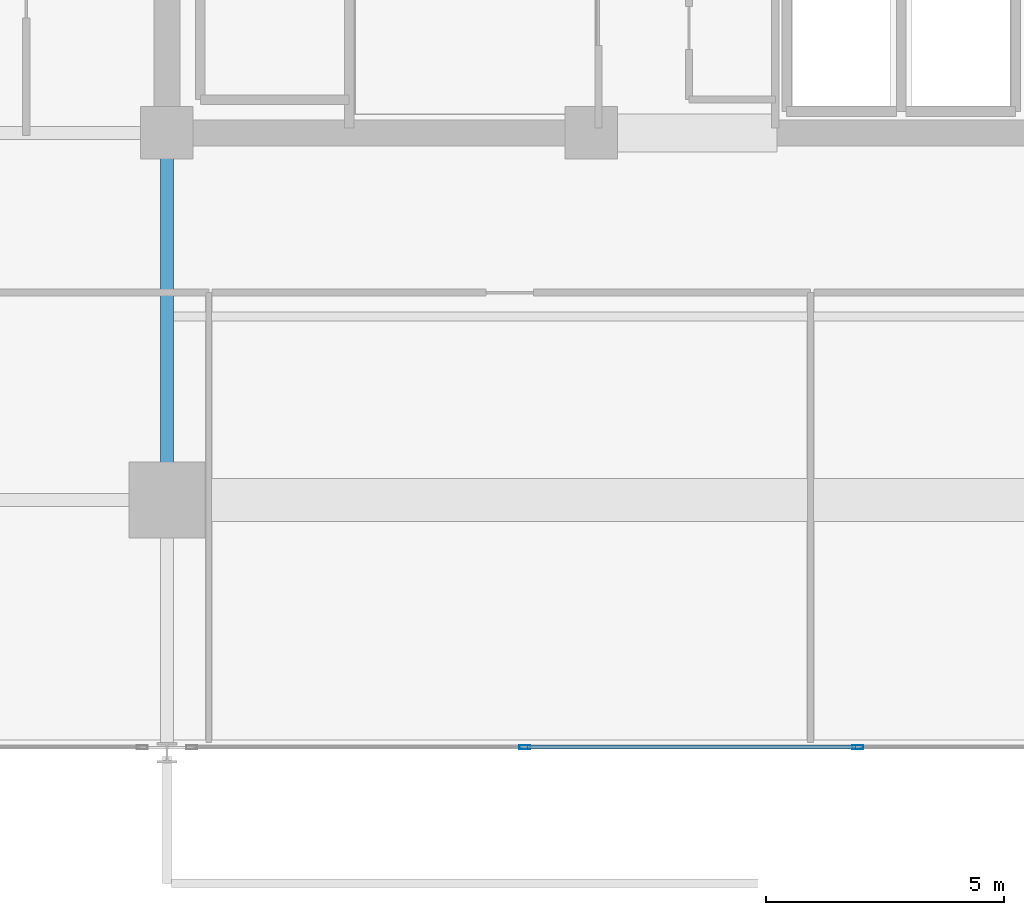
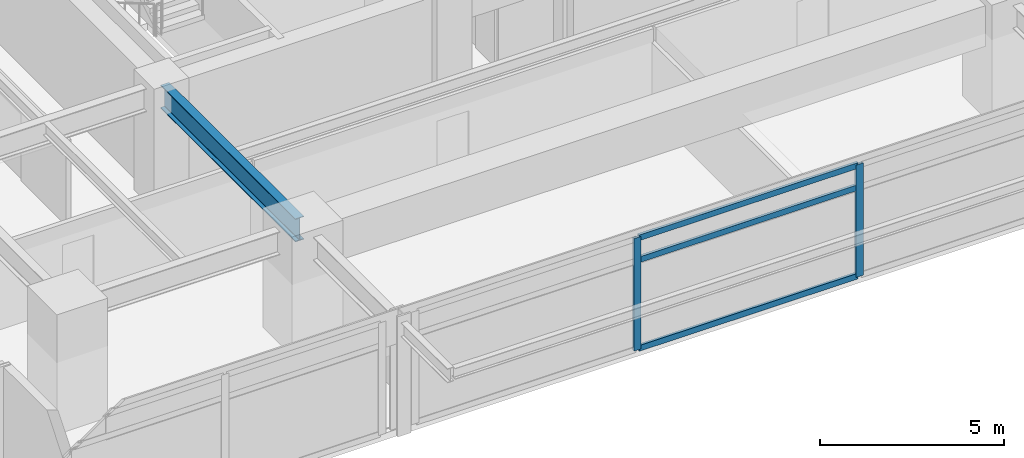
# One storey, part 5 of 23: 5 members, 1 beam, 1 element without a shape of its own.
"""IFC4 building model written with IfcOpenShell, lengths in metres."""

from ifc_helpers import new_model, si_unit, direction, frame, origin, origin_2d, place, context, subcontext, project, spatial, hollow_rectangle, i_section, extrude, material, material_profile, profile_set, type_object, element, aggregate, save


model = new_model("IFC4")

# Units and contexts
model_context = context("Model", 3, precision=1e-05, world=origin(), true_north=direction((0.0, 1.0)))
body_context = subcontext(model_context, "Body", "Model", "MODEL_VIEW")
ifc_project = project(units=[si_unit("LENGTHUNIT", "METRE"), si_unit("AREAUNIT", "SQUARE_METRE"), si_unit("VOLUMEUNIT", "CUBIC_METRE"), si_unit("PLANEANGLEUNIT", "RADIAN"), si_unit("MASSUNIT", "GRAM", prefix="KILO")], contexts=[model_context])

# Site, building, storey
site_placement = place(None, origin())
site = spatial("IfcSite", under=ifc_project, at=site_placement, CompositionType="ELEMENT")
building_placement = place(site_placement, origin())
building = spatial("IfcBuilding", under=site, at=building_placement, Name="Kovane Verandah Tower", CompositionType="ELEMENT")
storey_placement = place(building_placement, frame((0.0, 0.0, 168.39990234375)))
storey = spatial("IfcBuildingStorey", under=building, at=storey_placement, Name="L39", CompositionType="ELEMENT", Elevation=168.39990234375)

# Beam
ifc_material_1 = material(Name="Steel S355", Category="steel")
ifc_material_profile_1 = material_profile(ifc_material_1, i_section(OverallWidth=0.26806640625, OverallDepth=0.769775390625, WebThickness=0.015625, FlangeThickness=0.025390625, FilletRadius=0.0166015625, at=origin_2d()), Name="UB762x267x197")
ifc_profile_set_1 = profile_set([ifc_material_profile_1], Name="Steel S355")
beam_type = type_object("IfcBeamType", Name="BM-UB762x197", PredefinedType="BEAM", material=ifc_profile_set_1)
beam_placement = place(storey_placement, frame((29.0, 18.320068359375, 3.39013671875), z_axis=(0.0, -1.0, 0.0), x_axis=(1.0, 0.0, 0.0)))
element("IfcBeam", 1, at=beam_placement, inside=storey, type_object=beam_type, Name="L39 Primary Tower Girder G-S1", PredefinedType="BEAM", context=body_context, shape_type="SweptSolid", body=[
    extrude(i_section(OverallWidth=0.26806640625, OverallDepth=0.769775390625, WebThickness=0.015625, FlangeThickness=0.025390625, FilletRadius=0.0166015625, at=origin_2d()), origin(), (0.0, 0.0, 1.0), 7.340087890625),
])

# Curtain wall, members
ifc_material_2 = material(Name="Champagne Anodised Aluminium Frame with Low-E Clear Laminated Glass", Category="aluminium")
curtain_wall_type = type_object("IfcCurtainWallType", Name="CW-SYS-03-MID", PredefinedType="NOTDEFINED", material=ifc_material_2)
curtain_wall_placement = place(storey_placement, origin())
curtain_wall = element("IfcCurtainWall", 2, at=curtain_wall_placement, inside=storey, type_object=curtain_wall_type, Name="L39 S Unitised Curtain Wall-2", PredefinedType="NOTDEFINED")
ifc_material_3 = material(Name="Champagne Anodised Aluminium 6063-T6", Category="aluminium")
ifc_material_profile_2 = material_profile(ifc_material_3, hollow_rectangle(XDim=0.0849609375, YDim=0.22998046875, WallThickness=0.00390625, at=origin_2d()), Name="AL85x230x4")
ifc_profile_set_2 = profile_set([ifc_material_profile_2], Name="Champagne Anodised Aluminium 6063-T6")
member_type_1 = type_object("IfcMemberType", Name="CW-MUL-85x230", PredefinedType="MULLION", material=ifc_profile_set_2)
member_1_placement = place(storey_placement, frame((36.506591796875, 5.617919921875, 0.02001953125), z_axis=(0.0, 0.0, 1.0), x_axis=(0.0, -1.0, 0.0)))
member_1 = element("IfcMember", 3, at=member_1_placement, type_object=member_type_1, Name="L39 S Unitised Curtain Wall-2 Mullion 2", PredefinedType="MULLION", context=body_context, shape_type="SweptSolid", body=[
    extrude(hollow_rectangle(XDim=0.0849609375, YDim=0.22998046875, WallThickness=0.00390625, at=origin_2d()), origin(), (0.0, 0.0, 1.0), 3.735107421875),
])
member_2_placement = place(storey_placement, frame((43.493408203125, 5.617919921875, 0.02001953125), z_axis=(0.0, 0.0, 1.0), x_axis=(0.0, -1.0, 0.0)))
member_2 = element("IfcMember", 4, at=member_2_placement, type_object=member_type_1, Name="L39 S Unitised Curtain Wall-2 Mullion 3", PredefinedType="MULLION", context=body_context, shape_type="SweptSolid", body=[
    extrude(hollow_rectangle(XDim=0.0849609375, YDim=0.22998046875, WallThickness=0.00390625, at=origin_2d()), origin(), (0.0, 0.0, 1.0), 3.735107421875),
])
ifc_material_profile_3 = material_profile(ifc_material_3, hollow_rectangle(XDim=0.0849609375, YDim=0.18994140625, WallThickness=0.00390625, at=origin_2d()), Name="AL85x190x4")
ifc_profile_set_3 = profile_set([ifc_material_profile_3], Name="Champagne Anodised Aluminium 6063-T6")
member_type_2 = type_object("IfcMemberType", Name="CW-TRN-85x190", PredefinedType="USERDEFINED", material=ifc_profile_set_3)
member_3_placement = place(storey_placement, frame((36.556640625, 5.617919921875, 0.050048828125), z_axis=(1.0, 0.0, 0.0), x_axis=(0.0, 1.0, 0.0)))
member_3 = element("IfcMember", 5, at=member_3_placement, type_object=member_type_2, Name="L39 S Unitised Curtain Wall-2 Transom TB Bay 2", ObjectType="TRANSOM", PredefinedType="USERDEFINED", context=body_context, shape_type="SweptSolid", body=[
    extrude(hollow_rectangle(XDim=0.0849609375, YDim=0.18994140625, WallThickness=0.00390625, at=origin_2d()), origin(), (0.0, 0.0, 1.0), 6.88671875),
])
member_4_placement = place(storey_placement, frame((36.556640625, 5.617919921875, 2.9951171875), z_axis=(1.0, 0.0, 0.0), x_axis=(0.0, 1.0, 0.0)))
member_4 = element("IfcMember", 6, at=member_4_placement, type_object=member_type_2, Name="L39 S Unitised Curtain Wall-2 Transom TM Bay 2", ObjectType="TRANSOM", PredefinedType="USERDEFINED", context=body_context, shape_type="SweptSolid", body=[
    extrude(hollow_rectangle(XDim=0.0849609375, YDim=0.18994140625, WallThickness=0.00390625, at=origin_2d()), origin(), (0.0, 0.0, 1.0), 6.88671875),
])
member_5_placement = place(storey_placement, frame((36.556640625, 5.617919921875, 3.72509765625), z_axis=(1.0, 0.0, 0.0), x_axis=(0.0, 1.0, 0.0)))
member_5 = element("IfcMember", 7, at=member_5_placement, type_object=member_type_2, Name="L39 S Unitised Curtain Wall-2 Transom TT Bay 2", ObjectType="TRANSOM", PredefinedType="USERDEFINED", context=body_context, shape_type="SweptSolid", body=[
    extrude(hollow_rectangle(XDim=0.0849609375, YDim=0.18994140625, WallThickness=0.00390625, at=origin_2d()), origin(), (0.0, 0.0, 1.0), 6.88671875),
])
aggregate(curtain_wall, [member_1, member_2, member_3, member_4, member_5])

save(model, "model.ifc")
